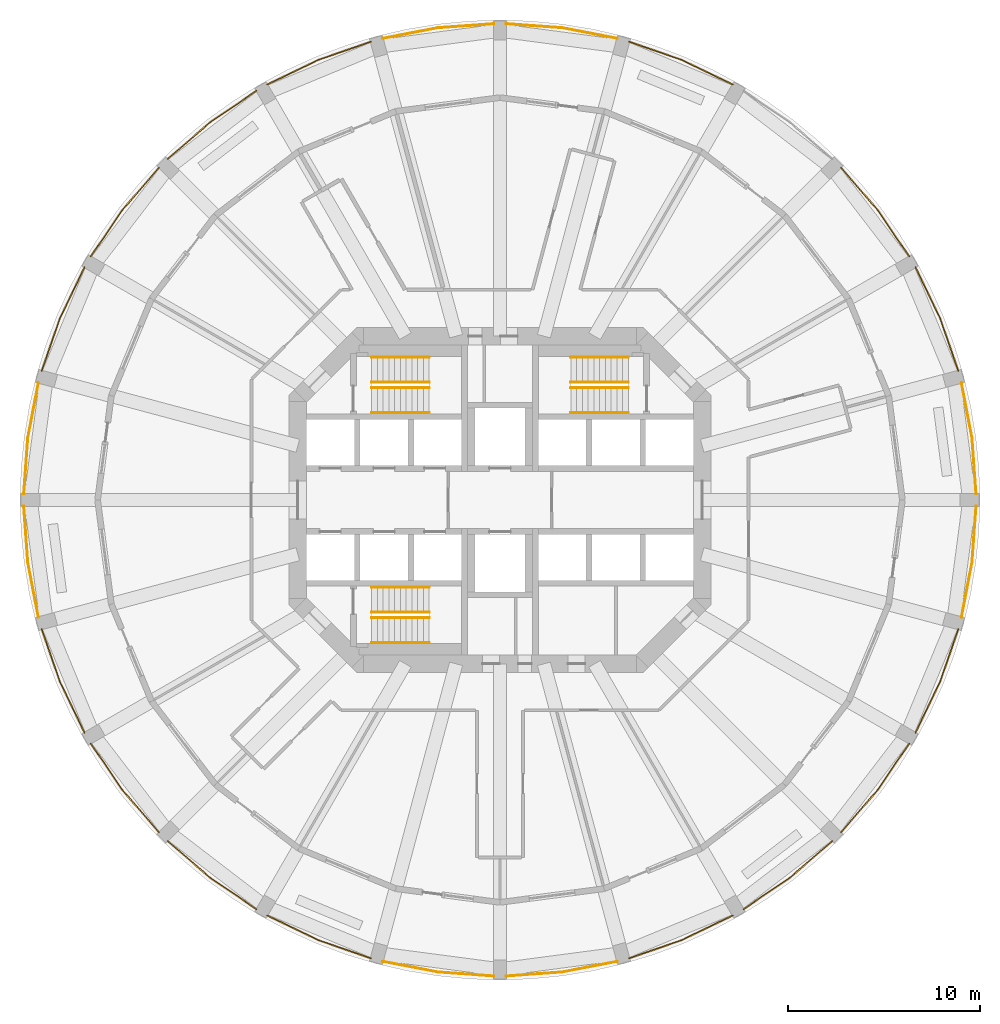
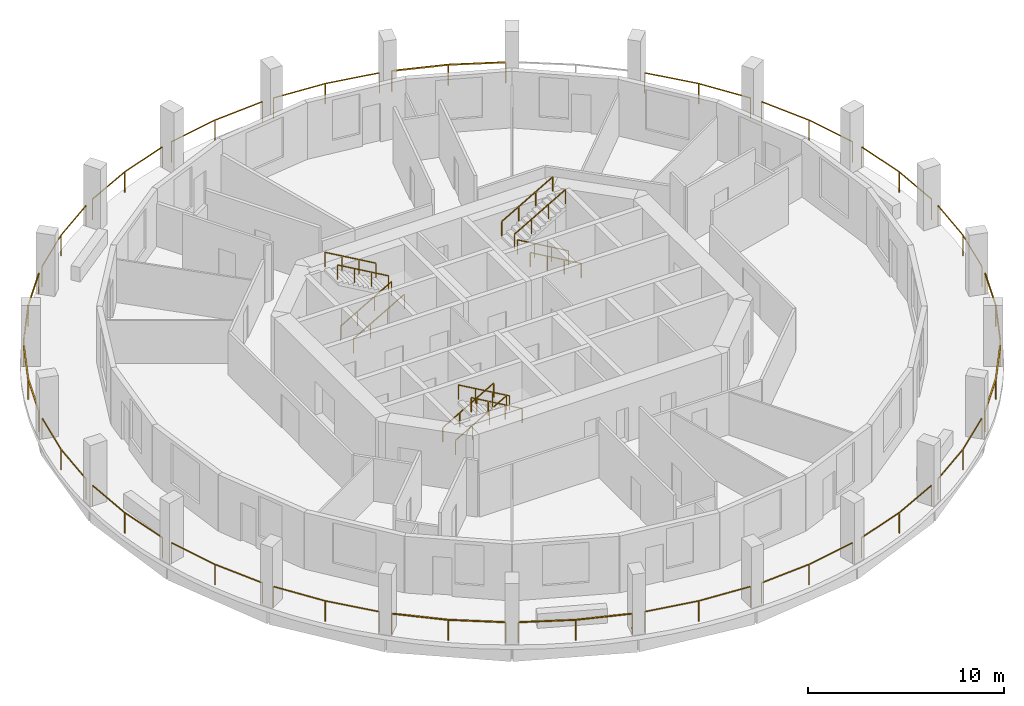
# One storey, part 7 of 8: 35 railings.
"""IFC4 building model written with IfcOpenShell, lengths in metres."""

from ifc_helpers import new_model, si_unit, direction, frame, origin, origin_2d, place, context, subcontext, project, spatial, rectangle, extrude, material, type_object, element, save


model = new_model("IFC4")

# Units and contexts
model_context = context("Model", 3, precision=1e-05, world=origin(), true_north=direction((0.0, 1.0)))
body_context = subcontext(model_context, "Body", "Model", "MODEL_VIEW")
ifc_project = project(units=[si_unit("LENGTHUNIT", "METRE"), si_unit("AREAUNIT", "SQUARE_METRE"), si_unit("VOLUMEUNIT", "CUBIC_METRE"), si_unit("PLANEANGLEUNIT", "RADIAN"), si_unit("MASSUNIT", "GRAM", prefix="KILO")], contexts=[model_context])

# Site, building, storey
site_placement = place(None, origin())
site = spatial("IfcSite", under=ifc_project, at=site_placement, CompositionType="ELEMENT")
building_placement = place(site_placement, origin())
building = spatial("IfcBuilding", under=site, at=building_placement, Name="Torre Triforio", CompositionType="ELEMENT")
storey_placement = place(building_placement, frame((0.0, 0.0, 131.39990234375)))
storey = spatial("IfcBuildingStorey", under=building, at=storey_placement, Name="L29", CompositionType="ELEMENT", Elevation=131.39990234375)

# Railings
ifc_material = material(Name="Stainless steel AISI 316", Category="steel")
railing_type_1 = type_object("IfcRailingType", Name="HANDRAIL 920", PredefinedType="HANDRAIL", material=ifc_material)
for number, where, name in (
    (1, (-6.699951171875, 4.550048828125, 0.1728515625), "Handrail ST1"),
    (2, (-6.699951171875, 5.85009765625, 0.1728515625), "Handrail ST1"),
):
    element("IfcRailing", number, at=place(storey_placement, frame(where)), inside=storey, type_object=railing_type_1, Name=name, PredefinedType="HANDRAIL", context=body_context, shape_type="SweptSolid", body=[
        extrude(rectangle(XDim=0.048095703125, YDim=0.048095703125, at=origin_2d()), frame((0.0, 0.0, 0.89599609375), z_axis=(0.866619684472, 0.0, 0.498969260062), x_axis=(0.0, 1.0, 0.0)), (0.0, 0.0, 1.0), 3.461669921875),
        extrude(rectangle(XDim=0.0419921875, YDim=0.0419921875, at=origin_2d()), origin(), (0.0, 0.0, 1.0), 0.871826171875),
        extrude(rectangle(XDim=0.0419921875, YDim=0.0419921875, at=origin_2d()), frame((1.0, 0.0, 0.57568359375)), (0.0, 0.0, 1.0), 0.871826171875),
        extrude(rectangle(XDim=0.0419921875, YDim=0.0419921875, at=origin_2d()), frame((2.0, 0.0, 1.151611328125)), (0.0, 0.0, 1.0), 0.871826171875),
        extrude(rectangle(XDim=0.0419921875, YDim=0.0419921875, at=origin_2d()), frame((3.0, 0.0, 1.727294921875)), (0.0, 0.0, 1.0), 0.871826171875),
    ])
for number, where, name in (
    (3, (-3.699951171875, 7.449951171875, 2.07275390625), "Handrail ST1"),
    (4, (-3.699951171875, 6.14990234375, 2.07275390625), "Handrail ST1"),
    (5, (6.699951171875, 4.550048828125, 0.1728515625), "Handrail ST2"),
    (6, (6.699951171875, 5.85009765625, 0.1728515625), "Handrail ST2"),
):
    element("IfcRailing", number, at=place(storey_placement, frame(where)), inside=storey, type_object=railing_type_1, Name=name, PredefinedType="HANDRAIL", context=body_context, shape_type="SweptSolid", body=[
        extrude(rectangle(XDim=0.048095703125, YDim=0.048095703125, at=origin_2d()), frame((0.0, 0.0, 0.89599609375), z_axis=(-0.866619684472, 0.0, 0.498969260062), x_axis=(0.0, -1.0, 0.0)), (0.0, 0.0, 1.0), 3.461669921875),
        extrude(rectangle(XDim=0.0419921875, YDim=0.0419921875, at=origin_2d()), origin(), (0.0, 0.0, 1.0), 0.871826171875),
        extrude(rectangle(XDim=0.0419921875, YDim=0.0419921875, at=origin_2d()), frame((-1.0, 0.0, 0.57568359375)), (0.0, 0.0, 1.0), 0.871826171875),
        extrude(rectangle(XDim=0.0419921875, YDim=0.0419921875, at=origin_2d()), frame((-2.0, 0.0, 1.151611328125)), (0.0, 0.0, 1.0), 0.871826171875),
        extrude(rectangle(XDim=0.0419921875, YDim=0.0419921875, at=origin_2d()), frame((-3.0, 0.0, 1.727294921875)), (0.0, 0.0, 1.0), 0.871826171875),
    ])
for number, where, name in (
    (7, (3.699951171875, 7.449951171875, 2.07275390625), "Handrail ST2"),
    (8, (3.699951171875, 6.14990234375, 2.07275390625), "Handrail ST2"),
    (9, (-6.699951171875, -4.550048828125, 0.1728515625), "Handrail ST3"),
    (10, (-6.699951171875, -5.85009765625, 0.1728515625), "Handrail ST3"),
):
    element("IfcRailing", number, at=place(storey_placement, frame(where)), inside=storey, type_object=railing_type_1, Name=name, PredefinedType="HANDRAIL", context=body_context, shape_type="SweptSolid", body=[
        extrude(rectangle(XDim=0.048095703125, YDim=0.048095703125, at=origin_2d()), frame((0.0, 0.0, 0.89599609375), z_axis=(0.866619684472, 0.0, 0.498969260062), x_axis=(0.0, 1.0, 0.0)), (0.0, 0.0, 1.0), 3.461669921875),
        extrude(rectangle(XDim=0.0419921875, YDim=0.0419921875, at=origin_2d()), origin(), (0.0, 0.0, 1.0), 0.871826171875),
        extrude(rectangle(XDim=0.0419921875, YDim=0.0419921875, at=origin_2d()), frame((1.0, 0.0, 0.57568359375)), (0.0, 0.0, 1.0), 0.871826171875),
        extrude(rectangle(XDim=0.0419921875, YDim=0.0419921875, at=origin_2d()), frame((2.0, 0.0, 1.151611328125)), (0.0, 0.0, 1.0), 0.871826171875),
        extrude(rectangle(XDim=0.0419921875, YDim=0.0419921875, at=origin_2d()), frame((3.0, 0.0, 1.727294921875)), (0.0, 0.0, 1.0), 0.871826171875),
    ])
for number, where, name in (
    (11, (-3.699951171875, -7.449951171875, 2.07275390625), "Handrail ST3"),
    (12, (-3.699951171875, -6.14990234375, 2.07275390625), "Handrail ST3"),
):
    element("IfcRailing", number, at=place(storey_placement, frame(where)), inside=storey, type_object=railing_type_1, Name=name, PredefinedType="HANDRAIL", context=body_context, shape_type="SweptSolid", body=[
        extrude(rectangle(XDim=0.048095703125, YDim=0.048095703125, at=origin_2d()), frame((0.0, 0.0, 0.89599609375), z_axis=(-0.866619684472, 0.0, 0.498969260062), x_axis=(0.0, -1.0, 0.0)), (0.0, 0.0, 1.0), 3.461669921875),
        extrude(rectangle(XDim=0.0419921875, YDim=0.0419921875, at=origin_2d()), origin(), (0.0, 0.0, 1.0), 0.871826171875),
        extrude(rectangle(XDim=0.0419921875, YDim=0.0419921875, at=origin_2d()), frame((-1.0, 0.0, 0.57568359375)), (0.0, 0.0, 1.0), 0.871826171875),
        extrude(rectangle(XDim=0.0419921875, YDim=0.0419921875, at=origin_2d()), frame((-2.0, 0.0, 1.151611328125)), (0.0, 0.0, 1.0), 0.871826171875),
        extrude(rectangle(XDim=0.0419921875, YDim=0.0419921875, at=origin_2d()), frame((-3.0, 0.0, 1.727294921875)), (0.0, 0.0, 1.0), 0.871826171875),
    ])
railing_type_2 = type_object("IfcRailingType", Name="Loggia guard 1300", PredefinedType="GUARDRAIL", material=ifc_material)
railing_1_placement = place(storey_placement, frame((24.85009765625, 0.320068359375, 0.0)))
element("IfcRailing", 13, at=railing_1_placement, inside=storey, type_object=railing_type_2, Name="Loggia guard L29 bay 01", PredefinedType="GUARDRAIL", context=body_context, shape_type="SweptSolid", body=[
    extrude(rectangle(XDim=0.050048828125, YDim=0.050048828125, at=origin_2d()), frame((0.0, 0.0, 1.27490234375), z_axis=(-0.072543227511, 0.997365269168, 0.0), x_axis=(-0.997365269168, -0.072543227511, 0.0)), (0.0, 0.0, 1.0), 2.931396484375),
    extrude(rectangle(XDim=0.050048828125, YDim=0.050048828125, at=origin_2d()), frame((-0.212646484375, 2.923583984375, 1.27490234375), z_axis=(-0.188068851895, 0.982155846568, 0.0), x_axis=(-0.982155846568, -0.188068851895, 0.0)), (0.0, 0.0, 1.0), 2.93115234375),
    extrude(rectangle(XDim=0.0400390625, YDim=0.0400390625, at=origin_2d()), origin(), (0.0, 0.0, 1.0), 1.25),
    extrude(rectangle(XDim=0.0400390625, YDim=0.0400390625, at=origin_2d()), frame((-0.212646484375, 2.923583984375, 0.0)), (0.0, 0.0, 1.0), 1.25),
    extrude(rectangle(XDim=0.0400390625, YDim=0.0400390625, at=origin_2d()), frame((-0.763916015625, 5.802490234375, 0.0)), (0.0, 0.0, 1.0), 1.25),
])
railing_2_placement = place(storey_placement, frame((23.92041015625, 6.74072265625, 0.0)))
element("IfcRailing", 14, at=railing_2_placement, inside=storey, type_object=railing_type_2, Name="Loggia guard L29 bay 02", PredefinedType="GUARDRAIL", context=body_context, shape_type="SweptSolid", body=[
    extrude(rectangle(XDim=0.050048828125, YDim=0.050048828125, at=origin_2d()), frame((0.0, 0.0, 1.27490234375), z_axis=(-0.328145883403, 0.944627058264, 0.0), x_axis=(-0.944627058264, -0.328145883403, 0.0)), (0.0, 0.0, 1.0), 2.931396484375),
    extrude(rectangle(XDim=0.050048828125, YDim=0.050048828125, at=origin_2d()), frame((-0.9619140625, 2.76904296875, 1.27490234375), z_axis=(-0.435917913275, 0.899986429279, 0.0), x_axis=(-0.899986429279, -0.435917913275, 0.0)), (0.0, 0.0, 1.0), 2.931396484375),
    extrude(rectangle(XDim=0.0400390625, YDim=0.0400390625, at=origin_2d()), origin(), (0.0, 0.0, 1.0), 1.25),
    extrude(rectangle(XDim=0.0400390625, YDim=0.0400390625, at=origin_2d()), frame((-0.9619140625, 2.76904296875, 0.0)), (0.0, 0.0, 1.0), 1.25),
    extrude(rectangle(XDim=0.0400390625, YDim=0.0400390625, at=origin_2d()), frame((-2.23974609375, 5.4072265625, 0.0)), (0.0, 0.0, 1.0), 1.25),
])
railing_3_placement = place(storey_placement, frame((21.360595703125, 12.7021484375, 0.0)))
element("IfcRailing", 15, at=railing_3_placement, inside=storey, type_object=railing_type_2, Name="Loggia guard L29 bay 03", PredefinedType="GUARDRAIL", context=body_context, shape_type="SweptSolid", body=[
    extrude(rectangle(XDim=0.050048828125, YDim=0.050048828125, at=origin_2d()), frame((0.0, 0.0, 1.27490234375), z_axis=(-0.561466791934, 0.827499269821, 0.0), x_axis=(-0.827499269821, -0.561466791934, 0.0)), (0.0, 0.0, 1.0), 2.93115234375),
    extrude(rectangle(XDim=0.050048828125, YDim=0.050048828125, at=origin_2d()), frame((-1.645751953125, 2.425537109375, 1.27490234375), z_axis=(-0.653981928353, 0.756510170049, 0.0), x_axis=(-0.756510170049, -0.653981928353, 0.0)), (0.0, 0.0, 1.0), 2.93115234375),
    extrude(rectangle(XDim=0.0400390625, YDim=0.0400390625, at=origin_2d()), origin(), (0.0, 0.0, 1.0), 1.25),
    extrude(rectangle(XDim=0.0400390625, YDim=0.0400390625, at=origin_2d()), frame((-1.645751953125, 2.425537109375, 0.0)), (0.0, 0.0, 1.0), 1.25),
    extrude(rectangle(XDim=0.0400390625, YDim=0.0400390625, at=origin_2d()), frame((-3.562744140625, 4.64306640625, 0.0)), (0.0, 0.0, 1.0), 1.25),
])
railing_4_placement = place(storey_placement, frame((12.14794921875, 21.6806640625, 0.0)))
element("IfcRailing", 16, at=railing_4_placement, inside=storey, type_object=railing_type_2, Name="Loggia guard L29 bay 05", PredefinedType="GUARDRAIL", context=body_context, shape_type="SweptSolid", body=[
    extrude(rectangle(XDim=0.050048828125, YDim=0.050048828125, at=origin_2d()), frame((0.0, 0.0, 1.27490234375), z_axis=(-0.899986429279, 0.435917913275, 0.0), x_axis=(-0.435917913275, -0.899986429279, 0.0)), (0.0, 0.0, 1.0), 2.931396484375),
    extrude(rectangle(XDim=0.050048828125, YDim=0.050048828125, at=origin_2d()), frame((-2.63818359375, 1.27783203125, 1.27490234375), z_axis=(-0.944627058264, 0.328145883403, 0.0), x_axis=(-0.328145883403, -0.944627058264, 0.0)), (0.0, 0.0, 1.0), 2.931396484375),
    extrude(rectangle(XDim=0.0400390625, YDim=0.0400390625, at=origin_2d()), origin(), (0.0, 0.0, 1.0), 1.25),
    extrude(rectangle(XDim=0.0400390625, YDim=0.0400390625, at=origin_2d()), frame((-2.63818359375, 1.27783203125, 0.0)), (0.0, 0.0, 1.0), 1.25),
    extrude(rectangle(XDim=0.0400390625, YDim=0.0400390625, at=origin_2d()), frame((-5.4072265625, 2.23974609375, 0.0)), (0.0, 0.0, 1.0), 1.25),
])
railing_5_placement = place(storey_placement, frame((6.12255859375, 24.086181640625, 0.0)))
element("IfcRailing", 17, at=railing_5_placement, inside=storey, type_object=railing_type_2, Name="Loggia guard L29 bay 06", PredefinedType="GUARDRAIL", context=body_context, shape_type="SweptSolid", body=[
    extrude(rectangle(XDim=0.050048828125, YDim=0.050048828125, at=origin_2d()), frame((0.0, 0.0, 1.27490234375), z_axis=(-0.982155846568, 0.188068851895, 0.0), x_axis=(-0.188068851895, -0.982155846568, 0.0)), (0.0, 0.0, 1.0), 2.93115234375),
    extrude(rectangle(XDim=0.050048828125, YDim=0.050048828125, at=origin_2d()), frame((-2.87890625, 0.55126953125, 1.27490234375), z_axis=(-0.997365269168, 0.072543227511, 0.0), x_axis=(-0.072543227511, -0.997365269168, 0.0)), (0.0, 0.0, 1.0), 2.931396484375),
    extrude(rectangle(XDim=0.0400390625, YDim=0.0400390625, at=origin_2d()), origin(), (0.0, 0.0, 1.0), 1.25),
    extrude(rectangle(XDim=0.0400390625, YDim=0.0400390625, at=origin_2d()), frame((-2.87890625, 0.55126953125, 0.0)), (0.0, 0.0, 1.0), 1.25),
    extrude(rectangle(XDim=0.0400390625, YDim=0.0400390625, at=origin_2d()), frame((-5.802490234375, 0.763916015625, 0.0)), (0.0, 0.0, 1.0), 1.25),
])
railing_6_placement = place(storey_placement, frame((-0.320068359375, 24.85009765625, 0.0)))
element("IfcRailing", 18, at=railing_6_placement, inside=storey, type_object=railing_type_2, Name="Loggia guard L29 bay 07", PredefinedType="GUARDRAIL", context=body_context, shape_type="SweptSolid", body=[
    extrude(rectangle(XDim=0.050048828125, YDim=0.050048828125, at=origin_2d()), frame((0.0, 0.0, 1.27490234375), z_axis=(-0.997365269168, -0.072543227511, 0.0), x_axis=(0.072543227511, -0.997365269168, 0.0)), (0.0, 0.0, 1.0), 2.931396484375),
    extrude(rectangle(XDim=0.050048828125, YDim=0.050048828125, at=origin_2d()), frame((-2.923583984375, -0.212646484375, 1.27490234375), z_axis=(-0.982155846568, -0.188068851895, 0.0), x_axis=(0.188068851895, -0.982155846568, 0.0)), (0.0, 0.0, 1.0), 2.93115234375),
    extrude(rectangle(XDim=0.0400390625, YDim=0.0400390625, at=origin_2d()), origin(), (0.0, 0.0, 1.0), 1.25),
    extrude(rectangle(XDim=0.0400390625, YDim=0.0400390625, at=origin_2d()), frame((-2.923583984375, -0.212646484375, 0.0)), (0.0, 0.0, 1.0), 1.25),
    extrude(rectangle(XDim=0.0400390625, YDim=0.0400390625, at=origin_2d()), frame((-5.802490234375, -0.763916015625, 0.0)), (0.0, 0.0, 1.0), 1.25),
])
railing_7_placement = place(storey_placement, frame((-6.74072265625, 23.92041015625, 0.0)))
element("IfcRailing", 19, at=railing_7_placement, inside=storey, type_object=railing_type_2, Name="Loggia guard L29 bay 08", PredefinedType="GUARDRAIL", context=body_context, shape_type="SweptSolid", body=[
    extrude(rectangle(XDim=0.050048828125, YDim=0.050048828125, at=origin_2d()), frame((0.0, 0.0, 1.27490234375), z_axis=(-0.944627058264, -0.328145883403, 0.0), x_axis=(0.328145883403, -0.944627058264, 0.0)), (0.0, 0.0, 1.0), 2.931396484375),
    extrude(rectangle(XDim=0.050048828125, YDim=0.050048828125, at=origin_2d()), frame((-2.76904296875, -0.9619140625, 1.27490234375), z_axis=(-0.899986429279, -0.435917913275, 0.0), x_axis=(0.435917913275, -0.899986429279, 0.0)), (0.0, 0.0, 1.0), 2.931396484375),
    extrude(rectangle(XDim=0.0400390625, YDim=0.0400390625, at=origin_2d()), origin(), (0.0, 0.0, 1.0), 1.25),
    extrude(rectangle(XDim=0.0400390625, YDim=0.0400390625, at=origin_2d()), frame((-2.76904296875, -0.9619140625, 0.0)), (0.0, 0.0, 1.0), 1.25),
    extrude(rectangle(XDim=0.0400390625, YDim=0.0400390625, at=origin_2d()), frame((-5.4072265625, -2.23974609375, 0.0)), (0.0, 0.0, 1.0), 1.25),
])
railing_8_placement = place(storey_placement, frame((-12.7021484375, 21.360595703125, 0.0)))
element("IfcRailing", 20, at=railing_8_placement, inside=storey, type_object=railing_type_2, Name="Loggia guard L29 bay 09", PredefinedType="GUARDRAIL", context=body_context, shape_type="SweptSolid", body=[
    extrude(rectangle(XDim=0.050048828125, YDim=0.050048828125, at=origin_2d()), frame((0.0, 0.0, 1.27490234375), z_axis=(-0.827499269821, -0.561466791934, 0.0), x_axis=(0.561466791934, -0.827499269821, 0.0)), (0.0, 0.0, 1.0), 2.93115234375),
    extrude(rectangle(XDim=0.050048828125, YDim=0.050048828125, at=origin_2d()), frame((-2.425537109375, -1.645751953125, 1.27490234375), z_axis=(-0.756510170049, -0.653981928353, 0.0), x_axis=(0.653981928353, -0.756510170049, 0.0)), (0.0, 0.0, 1.0), 2.93115234375),
    extrude(rectangle(XDim=0.0400390625, YDim=0.0400390625, at=origin_2d()), origin(), (0.0, 0.0, 1.0), 1.25),
    extrude(rectangle(XDim=0.0400390625, YDim=0.0400390625, at=origin_2d()), frame((-2.425537109375, -1.645751953125, 0.0)), (0.0, 0.0, 1.0), 1.25),
    extrude(rectangle(XDim=0.0400390625, YDim=0.0400390625, at=origin_2d()), frame((-4.64306640625, -3.562744140625, 0.0)), (0.0, 0.0, 1.0), 1.25),
])
railing_9_placement = place(storey_placement, frame((-17.7978515625, 17.34521484375, 0.0)))
element("IfcRailing", 21, at=railing_9_placement, inside=storey, type_object=railing_type_2, Name="Loggia guard L29 bay 10", PredefinedType="GUARDRAIL", context=body_context, shape_type="SweptSolid", body=[
    extrude(rectangle(XDim=0.050048828125, YDim=0.050048828125, at=origin_2d()), frame((0.0, 0.0, 1.27490234375), z_axis=(-0.653981928353, -0.756510170049, 0.0), x_axis=(0.756510170049, -0.653981928353, 0.0)), (0.0, 0.0, 1.0), 2.93115234375),
    extrude(rectangle(XDim=0.050048828125, YDim=0.050048828125, at=origin_2d()), frame((-1.9169921875, -2.217529296875, 1.27490234375), z_axis=(-0.561466791934, -0.827499269821, 0.0), x_axis=(0.827499269821, -0.561466791934, 0.0)), (0.0, 0.0, 1.0), 2.93115234375),
    extrude(rectangle(XDim=0.0400390625, YDim=0.0400390625, at=origin_2d()), origin(), (0.0, 0.0, 1.0), 1.25),
    extrude(rectangle(XDim=0.0400390625, YDim=0.0400390625, at=origin_2d()), frame((-1.9169921875, -2.217529296875, 0.0)), (0.0, 0.0, 1.0), 1.25),
    extrude(rectangle(XDim=0.0400390625, YDim=0.0400390625, at=origin_2d()), frame((-3.562744140625, -4.64306640625, 0.0)), (0.0, 0.0, 1.0), 1.25),
])
railing_10_placement = place(storey_placement, frame((-21.6806640625, 12.14794921875, 0.0)))
element("IfcRailing", 22, at=railing_10_placement, inside=storey, type_object=railing_type_2, Name="Loggia guard L29 bay 11", PredefinedType="GUARDRAIL", context=body_context, shape_type="SweptSolid", body=[
    extrude(rectangle(XDim=0.050048828125, YDim=0.050048828125, at=origin_2d()), frame((0.0, 0.0, 1.27490234375), z_axis=(-0.435917913275, -0.899986429279, 0.0), x_axis=(0.899986429279, -0.435917913275, 0.0)), (0.0, 0.0, 1.0), 2.931396484375),
    extrude(rectangle(XDim=0.050048828125, YDim=0.050048828125, at=origin_2d()), frame((-1.27783203125, -2.63818359375, 1.27490234375), z_axis=(-0.328145883403, -0.944627058264, 0.0), x_axis=(0.944627058264, -0.328145883403, 0.0)), (0.0, 0.0, 1.0), 2.931396484375),
    extrude(rectangle(XDim=0.0400390625, YDim=0.0400390625, at=origin_2d()), origin(), (0.0, 0.0, 1.0), 1.25),
    extrude(rectangle(XDim=0.0400390625, YDim=0.0400390625, at=origin_2d()), frame((-1.27783203125, -2.63818359375, 0.0)), (0.0, 0.0, 1.0), 1.25),
    extrude(rectangle(XDim=0.0400390625, YDim=0.0400390625, at=origin_2d()), frame((-2.23974609375, -5.4072265625, 0.0)), (0.0, 0.0, 1.0), 1.25),
])
railing_11_placement = place(storey_placement, frame((-24.086181640625, 6.12255859375, 0.0)))
element("IfcRailing", 23, at=railing_11_placement, inside=storey, type_object=railing_type_2, Name="Loggia guard L29 bay 12", PredefinedType="GUARDRAIL", context=body_context, shape_type="SweptSolid", body=[
    extrude(rectangle(XDim=0.050048828125, YDim=0.050048828125, at=origin_2d()), frame((0.0, 0.0, 1.27490234375), z_axis=(-0.188068851895, -0.982155846568, 0.0), x_axis=(0.982155846568, -0.188068851895, 0.0)), (0.0, 0.0, 1.0), 2.93115234375),
    extrude(rectangle(XDim=0.050048828125, YDim=0.050048828125, at=origin_2d()), frame((-0.55126953125, -2.87890625, 1.27490234375), z_axis=(-0.072543227511, -0.997365269168, 0.0), x_axis=(0.997365269168, -0.072543227511, 0.0)), (0.0, 0.0, 1.0), 2.931396484375),
    extrude(rectangle(XDim=0.0400390625, YDim=0.0400390625, at=origin_2d()), origin(), (0.0, 0.0, 1.0), 1.25),
    extrude(rectangle(XDim=0.0400390625, YDim=0.0400390625, at=origin_2d()), frame((-0.55126953125, -2.87890625, 0.0)), (0.0, 0.0, 1.0), 1.25),
    extrude(rectangle(XDim=0.0400390625, YDim=0.0400390625, at=origin_2d()), frame((-0.763916015625, -5.802490234375, 0.0)), (0.0, 0.0, 1.0), 1.25),
])
railing_12_placement = place(storey_placement, frame((-24.85009765625, -0.320068359375, 0.0)))
element("IfcRailing", 24, at=railing_12_placement, inside=storey, type_object=railing_type_2, Name="Loggia guard L29 bay 13", PredefinedType="GUARDRAIL", context=body_context, shape_type="SweptSolid", body=[
    extrude(rectangle(XDim=0.050048828125, YDim=0.050048828125, at=origin_2d()), frame((0.0, 0.0, 1.27490234375), z_axis=(0.072543227511, -0.997365269168, 0.0), x_axis=(0.997365269168, 0.072543227511, 0.0)), (0.0, 0.0, 1.0), 2.931396484375),
    extrude(rectangle(XDim=0.050048828125, YDim=0.050048828125, at=origin_2d()), frame((0.212646484375, -2.923583984375, 1.27490234375), z_axis=(0.188068851895, -0.982155846568, 0.0), x_axis=(0.982155846568, 0.188068851895, 0.0)), (0.0, 0.0, 1.0), 2.93115234375),
    extrude(rectangle(XDim=0.0400390625, YDim=0.0400390625, at=origin_2d()), origin(), (0.0, 0.0, 1.0), 1.25),
    extrude(rectangle(XDim=0.0400390625, YDim=0.0400390625, at=origin_2d()), frame((0.212646484375, -2.923583984375, 0.0)), (0.0, 0.0, 1.0), 1.25),
    extrude(rectangle(XDim=0.0400390625, YDim=0.0400390625, at=origin_2d()), frame((0.763916015625, -5.802490234375, 0.0)), (0.0, 0.0, 1.0), 1.25),
])
railing_13_placement = place(storey_placement, frame((-23.92041015625, -6.74072265625, 0.0)))
element("IfcRailing", 25, at=railing_13_placement, inside=storey, type_object=railing_type_2, Name="Loggia guard L29 bay 14", PredefinedType="GUARDRAIL", context=body_context, shape_type="SweptSolid", body=[
    extrude(rectangle(XDim=0.050048828125, YDim=0.050048828125, at=origin_2d()), frame((0.0, 0.0, 1.27490234375), z_axis=(0.328145883403, -0.944627058264, 0.0), x_axis=(0.944627058264, 0.328145883403, 0.0)), (0.0, 0.0, 1.0), 2.931396484375),
    extrude(rectangle(XDim=0.050048828125, YDim=0.050048828125, at=origin_2d()), frame((0.9619140625, -2.76904296875, 1.27490234375), z_axis=(0.435917913275, -0.899986429279, 0.0), x_axis=(0.899986429279, 0.435917913275, 0.0)), (0.0, 0.0, 1.0), 2.931396484375),
    extrude(rectangle(XDim=0.0400390625, YDim=0.0400390625, at=origin_2d()), origin(), (0.0, 0.0, 1.0), 1.25),
    extrude(rectangle(XDim=0.0400390625, YDim=0.0400390625, at=origin_2d()), frame((0.9619140625, -2.76904296875, 0.0)), (0.0, 0.0, 1.0), 1.25),
    extrude(rectangle(XDim=0.0400390625, YDim=0.0400390625, at=origin_2d()), frame((2.23974609375, -5.4072265625, 0.0)), (0.0, 0.0, 1.0), 1.25),
])
railing_14_placement = place(storey_placement, frame((-21.360595703125, -12.7021484375, 0.0)))
element("IfcRailing", 26, at=railing_14_placement, inside=storey, type_object=railing_type_2, Name="Loggia guard L29 bay 15", PredefinedType="GUARDRAIL", context=body_context, shape_type="SweptSolid", body=[
    extrude(rectangle(XDim=0.050048828125, YDim=0.050048828125, at=origin_2d()), frame((0.0, 0.0, 1.27490234375), z_axis=(0.561466791934, -0.827499269821, 0.0), x_axis=(0.827499269821, 0.561466791934, 0.0)), (0.0, 0.0, 1.0), 2.93115234375),
    extrude(rectangle(XDim=0.050048828125, YDim=0.050048828125, at=origin_2d()), frame((1.645751953125, -2.425537109375, 1.27490234375), z_axis=(0.653981928353, -0.756510170049, 0.0), x_axis=(0.756510170049, 0.653981928353, 0.0)), (0.0, 0.0, 1.0), 2.93115234375),
    extrude(rectangle(XDim=0.0400390625, YDim=0.0400390625, at=origin_2d()), origin(), (0.0, 0.0, 1.0), 1.25),
    extrude(rectangle(XDim=0.0400390625, YDim=0.0400390625, at=origin_2d()), frame((1.645751953125, -2.425537109375, 0.0)), (0.0, 0.0, 1.0), 1.25),
    extrude(rectangle(XDim=0.0400390625, YDim=0.0400390625, at=origin_2d()), frame((3.562744140625, -4.64306640625, 0.0)), (0.0, 0.0, 1.0), 1.25),
])
railing_15_placement = place(storey_placement, frame((-17.34521484375, -17.7978515625, 0.0)))
element("IfcRailing", 27, at=railing_15_placement, inside=storey, type_object=railing_type_2, Name="Loggia guard L29 bay 16", PredefinedType="GUARDRAIL", context=body_context, shape_type="SweptSolid", body=[
    extrude(rectangle(XDim=0.050048828125, YDim=0.050048828125, at=origin_2d()), frame((0.0, 0.0, 1.27490234375), z_axis=(0.756510170049, -0.653981928353, 0.0), x_axis=(0.653981928353, 0.756510170049, 0.0)), (0.0, 0.0, 1.0), 2.93115234375),
    extrude(rectangle(XDim=0.050048828125, YDim=0.050048828125, at=origin_2d()), frame((2.217529296875, -1.9169921875, 1.27490234375), z_axis=(0.827499269821, -0.561466791934, 0.0), x_axis=(0.561466791934, 0.827499269821, 0.0)), (0.0, 0.0, 1.0), 2.93115234375),
    extrude(rectangle(XDim=0.0400390625, YDim=0.0400390625, at=origin_2d()), origin(), (0.0, 0.0, 1.0), 1.25),
    extrude(rectangle(XDim=0.0400390625, YDim=0.0400390625, at=origin_2d()), frame((2.217529296875, -1.9169921875, 0.0)), (0.0, 0.0, 1.0), 1.25),
    extrude(rectangle(XDim=0.0400390625, YDim=0.0400390625, at=origin_2d()), frame((4.64306640625, -3.562744140625, 0.0)), (0.0, 0.0, 1.0), 1.25),
])
railing_16_placement = place(storey_placement, frame((-12.14794921875, -21.6806640625, 0.0)))
element("IfcRailing", 28, at=railing_16_placement, inside=storey, type_object=railing_type_2, Name="Loggia guard L29 bay 17", PredefinedType="GUARDRAIL", context=body_context, shape_type="SweptSolid", body=[
    extrude(rectangle(XDim=0.050048828125, YDim=0.050048828125, at=origin_2d()), frame((0.0, 0.0, 1.27490234375), z_axis=(0.899986429279, -0.435917913275, 0.0), x_axis=(0.435917913275, 0.899986429279, 0.0)), (0.0, 0.0, 1.0), 2.931396484375),
    extrude(rectangle(XDim=0.050048828125, YDim=0.050048828125, at=origin_2d()), frame((2.63818359375, -1.27783203125, 1.27490234375), z_axis=(0.944627058264, -0.328145883403, 0.0), x_axis=(0.328145883403, 0.944627058264, 0.0)), (0.0, 0.0, 1.0), 2.931396484375),
    extrude(rectangle(XDim=0.0400390625, YDim=0.0400390625, at=origin_2d()), origin(), (0.0, 0.0, 1.0), 1.25),
    extrude(rectangle(XDim=0.0400390625, YDim=0.0400390625, at=origin_2d()), frame((2.63818359375, -1.27783203125, 0.0)), (0.0, 0.0, 1.0), 1.25),
    extrude(rectangle(XDim=0.0400390625, YDim=0.0400390625, at=origin_2d()), frame((5.4072265625, -2.23974609375, 0.0)), (0.0, 0.0, 1.0), 1.25),
])
railing_17_placement = place(storey_placement, frame((-6.12255859375, -24.086181640625, 0.0)))
element("IfcRailing", 29, at=railing_17_placement, inside=storey, type_object=railing_type_2, Name="Loggia guard L29 bay 18", PredefinedType="GUARDRAIL", context=body_context, shape_type="SweptSolid", body=[
    extrude(rectangle(XDim=0.050048828125, YDim=0.050048828125, at=origin_2d()), frame((0.0, 0.0, 1.27490234375), z_axis=(0.982155846568, -0.188068851895, 0.0), x_axis=(0.188068851895, 0.982155846568, 0.0)), (0.0, 0.0, 1.0), 2.93115234375),
    extrude(rectangle(XDim=0.050048828125, YDim=0.050048828125, at=origin_2d()), frame((2.87890625, -0.55126953125, 1.27490234375), z_axis=(0.997365269168, -0.072543227511, 0.0), x_axis=(0.072543227511, 0.997365269168, 0.0)), (0.0, 0.0, 1.0), 2.931396484375),
    extrude(rectangle(XDim=0.0400390625, YDim=0.0400390625, at=origin_2d()), origin(), (0.0, 0.0, 1.0), 1.25),
    extrude(rectangle(XDim=0.0400390625, YDim=0.0400390625, at=origin_2d()), frame((2.87890625, -0.55126953125, 0.0)), (0.0, 0.0, 1.0), 1.25),
    extrude(rectangle(XDim=0.0400390625, YDim=0.0400390625, at=origin_2d()), frame((5.802490234375, -0.763916015625, 0.0)), (0.0, 0.0, 1.0), 1.25),
])
railing_18_placement = place(storey_placement, frame((0.320068359375, -24.85009765625, 0.0)))
element("IfcRailing", 30, at=railing_18_placement, inside=storey, type_object=railing_type_2, Name="Loggia guard L29 bay 19", PredefinedType="GUARDRAIL", context=body_context, shape_type="SweptSolid", body=[
    extrude(rectangle(XDim=0.050048828125, YDim=0.050048828125, at=origin_2d()), frame((0.0, 0.0, 1.27490234375), z_axis=(0.997365269168, 0.072543227511, 0.0), x_axis=(-0.072543227511, 0.997365269168, 0.0)), (0.0, 0.0, 1.0), 2.931396484375),
    extrude(rectangle(XDim=0.050048828125, YDim=0.050048828125, at=origin_2d()), frame((2.923583984375, 0.212646484375, 1.27490234375), z_axis=(0.982155846568, 0.188068851895, 0.0), x_axis=(-0.188068851895, 0.982155846568, 0.0)), (0.0, 0.0, 1.0), 2.93115234375),
    extrude(rectangle(XDim=0.0400390625, YDim=0.0400390625, at=origin_2d()), origin(), (0.0, 0.0, 1.0), 1.25),
    extrude(rectangle(XDim=0.0400390625, YDim=0.0400390625, at=origin_2d()), frame((2.923583984375, 0.212646484375, 0.0)), (0.0, 0.0, 1.0), 1.25),
    extrude(rectangle(XDim=0.0400390625, YDim=0.0400390625, at=origin_2d()), frame((5.802490234375, 0.763916015625, 0.0)), (0.0, 0.0, 1.0), 1.25),
])
railing_19_placement = place(storey_placement, frame((6.74072265625, -23.92041015625, 0.0)))
element("IfcRailing", 31, at=railing_19_placement, inside=storey, type_object=railing_type_2, Name="Loggia guard L29 bay 20", PredefinedType="GUARDRAIL", context=body_context, shape_type="SweptSolid", body=[
    extrude(rectangle(XDim=0.050048828125, YDim=0.050048828125, at=origin_2d()), frame((0.0, 0.0, 1.27490234375), z_axis=(0.944627058264, 0.328145883403, 0.0), x_axis=(-0.328145883403, 0.944627058264, 0.0)), (0.0, 0.0, 1.0), 2.931396484375),
    extrude(rectangle(XDim=0.050048828125, YDim=0.050048828125, at=origin_2d()), frame((2.76904296875, 0.9619140625, 1.27490234375), z_axis=(0.899986429279, 0.435917913275, 0.0), x_axis=(-0.435917913275, 0.899986429279, 0.0)), (0.0, 0.0, 1.0), 2.931396484375),
    extrude(rectangle(XDim=0.0400390625, YDim=0.0400390625, at=origin_2d()), origin(), (0.0, 0.0, 1.0), 1.25),
    extrude(rectangle(XDim=0.0400390625, YDim=0.0400390625, at=origin_2d()), frame((2.76904296875, 0.9619140625, 0.0)), (0.0, 0.0, 1.0), 1.25),
    extrude(rectangle(XDim=0.0400390625, YDim=0.0400390625, at=origin_2d()), frame((5.4072265625, 2.23974609375, 0.0)), (0.0, 0.0, 1.0), 1.25),
])
railing_20_placement = place(storey_placement, frame((12.7021484375, -21.360595703125, 0.0)))
element("IfcRailing", 32, at=railing_20_placement, inside=storey, type_object=railing_type_2, Name="Loggia guard L29 bay 21", PredefinedType="GUARDRAIL", context=body_context, shape_type="SweptSolid", body=[
    extrude(rectangle(XDim=0.050048828125, YDim=0.050048828125, at=origin_2d()), frame((0.0, 0.0, 1.27490234375), z_axis=(0.827499269821, 0.561466791934, 0.0), x_axis=(-0.561466791934, 0.827499269821, 0.0)), (0.0, 0.0, 1.0), 2.93115234375),
    extrude(rectangle(XDim=0.050048828125, YDim=0.050048828125, at=origin_2d()), frame((2.425537109375, 1.645751953125, 1.27490234375), z_axis=(0.756510170049, 0.653981928353, 0.0), x_axis=(-0.653981928353, 0.756510170049, 0.0)), (0.0, 0.0, 1.0), 2.93115234375),
    extrude(rectangle(XDim=0.0400390625, YDim=0.0400390625, at=origin_2d()), origin(), (0.0, 0.0, 1.0), 1.25),
    extrude(rectangle(XDim=0.0400390625, YDim=0.0400390625, at=origin_2d()), frame((2.425537109375, 1.645751953125, 0.0)), (0.0, 0.0, 1.0), 1.25),
    extrude(rectangle(XDim=0.0400390625, YDim=0.0400390625, at=origin_2d()), frame((4.64306640625, 3.562744140625, 0.0)), (0.0, 0.0, 1.0), 1.25),
])
railing_21_placement = place(storey_placement, frame((17.7978515625, -17.34521484375, 0.0)))
element("IfcRailing", 33, at=railing_21_placement, inside=storey, type_object=railing_type_2, Name="Loggia guard L29 bay 22", PredefinedType="GUARDRAIL", context=body_context, shape_type="SweptSolid", body=[
    extrude(rectangle(XDim=0.050048828125, YDim=0.050048828125, at=origin_2d()), frame((0.0, 0.0, 1.27490234375), z_axis=(0.653981928353, 0.756510170049, 0.0), x_axis=(-0.756510170049, 0.653981928353, 0.0)), (0.0, 0.0, 1.0), 2.93115234375),
    extrude(rectangle(XDim=0.050048828125, YDim=0.050048828125, at=origin_2d()), frame((1.9169921875, 2.217529296875, 1.27490234375), z_axis=(0.561466791934, 0.827499269821, 0.0), x_axis=(-0.827499269821, 0.561466791934, 0.0)), (0.0, 0.0, 1.0), 2.93115234375),
    extrude(rectangle(XDim=0.0400390625, YDim=0.0400390625, at=origin_2d()), origin(), (0.0, 0.0, 1.0), 1.25),
    extrude(rectangle(XDim=0.0400390625, YDim=0.0400390625, at=origin_2d()), frame((1.9169921875, 2.217529296875, 0.0)), (0.0, 0.0, 1.0), 1.25),
    extrude(rectangle(XDim=0.0400390625, YDim=0.0400390625, at=origin_2d()), frame((3.562744140625, 4.64306640625, 0.0)), (0.0, 0.0, 1.0), 1.25),
])
railing_22_placement = place(storey_placement, frame((21.6806640625, -12.14794921875, 0.0)))
element("IfcRailing", 34, at=railing_22_placement, inside=storey, type_object=railing_type_2, Name="Loggia guard L29 bay 23", PredefinedType="GUARDRAIL", context=body_context, shape_type="SweptSolid", body=[
    extrude(rectangle(XDim=0.050048828125, YDim=0.050048828125, at=origin_2d()), frame((0.0, 0.0, 1.27490234375), z_axis=(0.435917913275, 0.899986429279, 0.0), x_axis=(-0.899986429279, 0.435917913275, 0.0)), (0.0, 0.0, 1.0), 2.931396484375),
    extrude(rectangle(XDim=0.050048828125, YDim=0.050048828125, at=origin_2d()), frame((1.27783203125, 2.63818359375, 1.27490234375), z_axis=(0.328145883403, 0.944627058264, 0.0), x_axis=(-0.944627058264, 0.328145883403, 0.0)), (0.0, 0.0, 1.0), 2.931396484375),
    extrude(rectangle(XDim=0.0400390625, YDim=0.0400390625, at=origin_2d()), origin(), (0.0, 0.0, 1.0), 1.25),
    extrude(rectangle(XDim=0.0400390625, YDim=0.0400390625, at=origin_2d()), frame((1.27783203125, 2.63818359375, 0.0)), (0.0, 0.0, 1.0), 1.25),
    extrude(rectangle(XDim=0.0400390625, YDim=0.0400390625, at=origin_2d()), frame((2.23974609375, 5.4072265625, 0.0)), (0.0, 0.0, 1.0), 1.25),
])
railing_23_placement = place(storey_placement, frame((24.086181640625, -6.12255859375, 0.0)))
element("IfcRailing", 35, at=railing_23_placement, inside=storey, type_object=railing_type_2, Name="Loggia guard L29 bay 24", PredefinedType="GUARDRAIL", context=body_context, shape_type="SweptSolid", body=[
    extrude(rectangle(XDim=0.050048828125, YDim=0.050048828125, at=origin_2d()), frame((0.0, 0.0, 1.27490234375), z_axis=(0.188068851895, 0.982155846568, 0.0), x_axis=(-0.982155846568, 0.188068851895, 0.0)), (0.0, 0.0, 1.0), 2.93115234375),
    extrude(rectangle(XDim=0.050048828125, YDim=0.050048828125, at=origin_2d()), frame((0.55126953125, 2.87890625, 1.27490234375), z_axis=(0.072543227511, 0.997365269168, 0.0), x_axis=(-0.997365269168, 0.072543227511, 0.0)), (0.0, 0.0, 1.0), 2.931396484375),
    extrude(rectangle(XDim=0.0400390625, YDim=0.0400390625, at=origin_2d()), origin(), (0.0, 0.0, 1.0), 1.25),
    extrude(rectangle(XDim=0.0400390625, YDim=0.0400390625, at=origin_2d()), frame((0.55126953125, 2.87890625, 0.0)), (0.0, 0.0, 1.0), 1.25),
    extrude(rectangle(XDim=0.0400390625, YDim=0.0400390625, at=origin_2d()), frame((0.763916015625, 5.802490234375, 0.0)), (0.0, 0.0, 1.0), 1.25),
])

save(model, "model.ifc")
